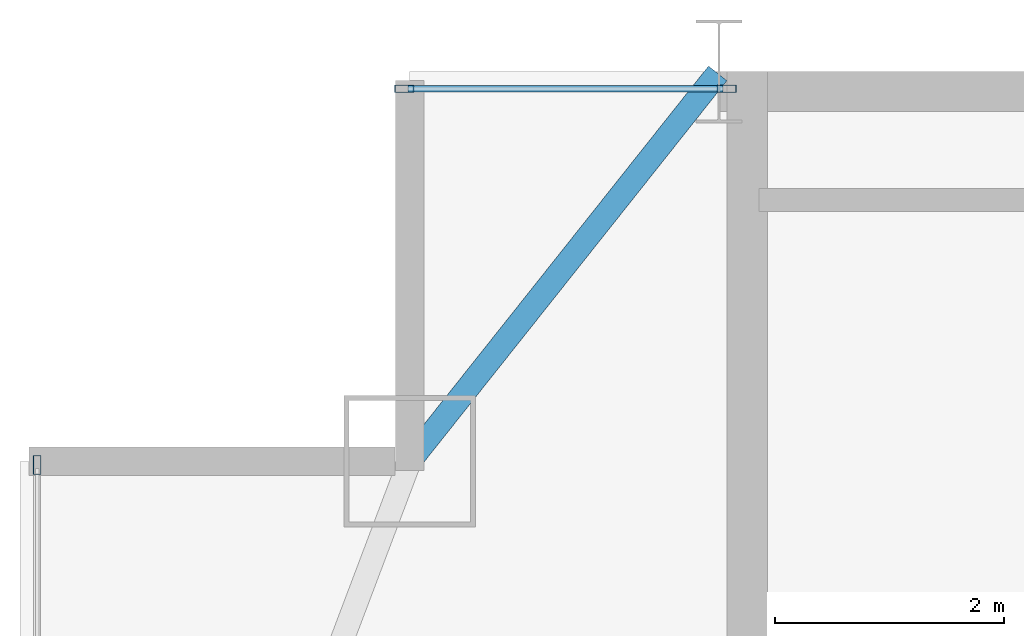
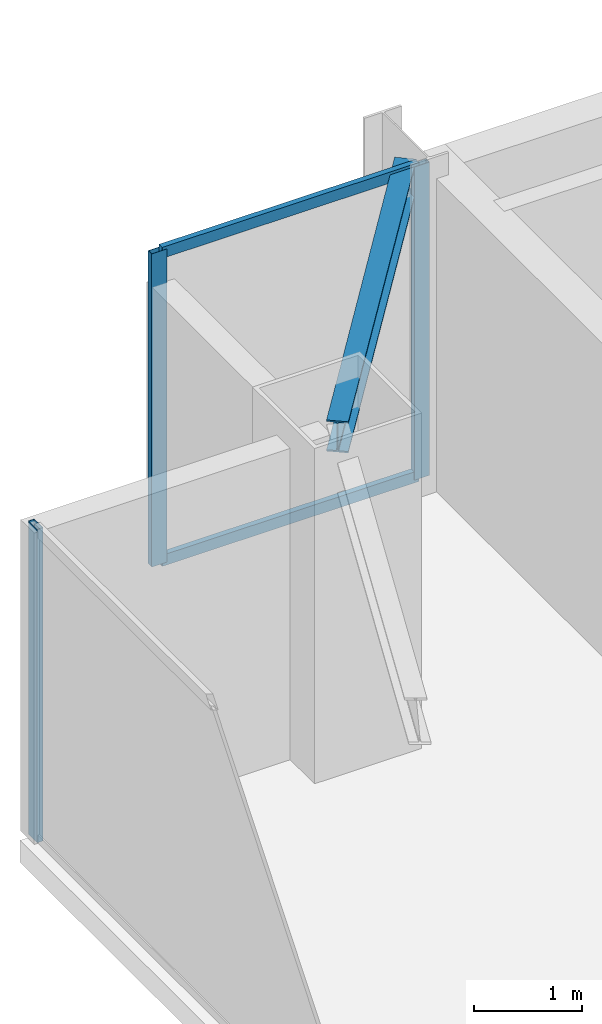
# One storey, part 21 of 30: 5 members, 1 beam, 2 elements without a shape of their own.
"""IFC4 building model written with IfcOpenShell, lengths in metres."""

from ifc_helpers import new_model, si_unit, direction, frame, origin, origin_2d, place, context, subcontext, project, spatial, hollow_rectangle, i_section, extrude, source, transform, mapped, material, layer, layer_set, material_profile, profile_set, type_object, type_shapes, element, aggregate, save


model = new_model("IFC4")

# Units and contexts
model_context = context("Model", 3, precision=1e-05, world=origin(), true_north=direction((0.0, 1.0)))
body_context = subcontext(model_context, "Body", "Model", "MODEL_VIEW")
ifc_project = project(units=[si_unit("LENGTHUNIT", "METRE"), si_unit("AREAUNIT", "SQUARE_METRE"), si_unit("VOLUMEUNIT", "CUBIC_METRE"), si_unit("PLANEANGLEUNIT", "RADIAN"), si_unit("MASSUNIT", "GRAM", prefix="KILO")], contexts=[model_context])

# Site, building, storey
site_placement = place(None, origin())
site = spatial("IfcSite", under=ifc_project, at=site_placement, CompositionType="ELEMENT")
building_placement = place(site_placement, origin())
building = spatial("IfcBuilding", under=site, at=building_placement, Name="Varnel Quay Broadcast Tower", CompositionType="ELEMENT")
storey_placement = place(building_placement, frame((0.0, 0.0, 211.199951171875)))
storey = spatial("IfcBuildingStorey", under=building, at=storey_placement, Name="L52", CompositionType="ELEMENT", Elevation=211.199951171875)

# Beam
ifc_material_1 = material(Name="Structural Steel CSA G40.21 350W", Category="steel")
ifc_material_profile_1 = material_profile(ifc_material_1, i_section(OverallWidth=0.205078125, OverallDepth=0.35400390625, WebThickness=0.009521484375, FlangeThickness=0.016845703125, FilletRadius=0.012939453125, at=origin_2d()), Name="W360X79")
ifc_profile_set_1 = profile_set([ifc_material_profile_1], Name="Structural Steel CSA G40.21 350W")
beam_type = type_object("IfcBeamType", Name="Beam_W360X79", PredefinedType="SPANDREL", material=ifc_profile_set_1)
shared_shape_1 = source(origin(), body_context, "Body", "SweptSolid", [
    extrude(i_section(OverallWidth=0.205078125, OverallDepth=0.35400390625, WebThickness=0.009521484375, FlangeThickness=0.016845703125, FilletRadius=0.012939453125, at=origin_2d()), origin(), (0.0, 0.0, 1.0), 4.301513671875),
])
type_shapes(beam_type, [shared_shape_1])
beam_placement = place(storey_placement, frame((12.912353515625, 43.415771484375, 3.373046875), z_axis=(0.621936399401, 0.783067758946, 0.0), x_axis=(-0.783067758946, 0.621936399401, 0.0)))
element("IfcBeam", 1, at=beam_placement, inside=storey, type_object=beam_type, Name="L52 NW Tie Spandrel", PredefinedType="SPANDREL", context=body_context, shape_type="MappedRepresentation", body=[
    mapped(shared_shape_1, transform((0.0, 0.0, 0.0), x_axis=(1.0, 0.0, 0.0), y_axis=(0.0, 1.0, 0.0), z_axis=(0.0, 0.0, 1.0), scale=1.0)),
])

# Curtain wall, member
ifc_material_2 = material(Name="Anodised Bronze Aluminium 6063-T6", Category="aluminium")
ifc_layer = layer(ifc_material_2, 0.18994140625, Name="Anodised Bronze Aluminium 6063-T6")
ifc_layer_set = layer_set([ifc_layer], Name="Anodised Bronze Aluminium 6063-T6")
curtain_wall_type = type_object("IfcCurtainWallType", Name="CW_UpperTower", PredefinedType="NOTDEFINED", material=ifc_layer_set)
curtain_wall_1_placement = place(storey_placement, origin())
curtain_wall_1 = element("IfcCurtainWall", 2, at=curtain_wall_1_placement, inside=storey, type_object=curtain_wall_type, Name="L52 West Unitised Curtain Wall", PredefinedType="NOTDEFINED")
ifc_material_profile_2 = material_profile(ifc_material_2, hollow_rectangle(XDim=0.06494140625, YDim=0.1650390625, WallThickness=0.00341796875, at=origin_2d()), Name="ALU65X165X3.5")
ifc_profile_set_2 = profile_set([ifc_material_profile_2], Name="Anodised Bronze Aluminium 6063-T6")
member_type_1 = type_object("IfcMemberType", Name="Mull_CWS-03", PredefinedType="MULLION", material=ifc_profile_set_2)
shared_shape_2 = source(origin(), body_context, "Body", "SweptSolid", [
    extrude(hollow_rectangle(XDim=0.06494140625, YDim=0.1650390625, WallThickness=0.00341796875, at=origin_2d()), origin(), (0.0, 0.0, 1.0), 3.550048828125),
])
type_shapes(member_type_1, [shared_shape_2])
member_1_placement = place(storey_placement, frame((9.64990234375, 43.367431640625, 0.0), z_axis=(0.0, 0.0, 1.0), x_axis=(-1.0, 0.0, 0.0)))
member_1 = element("IfcMember", 3, at=member_1_placement, type_object=member_type_1, Name="CWS-03 mullion 3", PredefinedType="MULLION", context=body_context, shape_type="MappedRepresentation", body=[
    mapped(shared_shape_2, transform((0.0, 0.0, 0.0), x_axis=(1.0, 0.0, 0.0), y_axis=(0.0, 1.0, 0.0), z_axis=(0.0, 0.0, 1.0), scale=1.0)),
])
aggregate(curtain_wall_1, [member_1])

# Curtain wall, members
curtain_wall_2_placement = place(storey_placement, origin())
curtain_wall_2 = element("IfcCurtainWall", 4, at=curtain_wall_2_placement, inside=storey, type_object=curtain_wall_type, Name="L52 NW Wing Curtain Wall", PredefinedType="NOTDEFINED")
member_2_placement = place(storey_placement, frame((12.8525390625, 46.64990234375, 0.0), z_axis=(0.0, 0.0, 1.0), x_axis=(0.0, 1.0, 0.0)))
member_2 = element("IfcMember", 5, at=member_2_placement, type_object=member_type_1, Name="CWS-03 mullion 1", PredefinedType="MULLION", context=body_context, shape_type="MappedRepresentation", body=[
    mapped(shared_shape_2, transform((0.0, 0.0, 0.0), x_axis=(1.0, 0.0, 0.0), y_axis=(0.0, 1.0, 0.0), z_axis=(0.0, 0.0, 1.0), scale=1.0)),
])
member_3_placement = place(storey_placement, frame((15.66748046875, 46.64990234375, 0.0), z_axis=(0.0, 0.0, 1.0), x_axis=(0.0, 1.0, 0.0)))
member_3 = element("IfcMember", 6, at=member_3_placement, type_object=member_type_1, Name="CWS-03 mullion 2", PredefinedType="MULLION", context=body_context, shape_type="MappedRepresentation", body=[
    mapped(shared_shape_2, transform((0.0, 0.0, 0.0), x_axis=(1.0, 0.0, 0.0), y_axis=(0.0, 1.0, 0.0), z_axis=(0.0, 0.0, 1.0), scale=1.0)),
])
ifc_material_profile_3 = material_profile(ifc_material_2, hollow_rectangle(XDim=0.06005859375, YDim=0.125, WallThickness=0.0029296875, at=origin_2d()), Name="ALU60X125X3")
ifc_profile_set_3 = profile_set([ifc_material_profile_3], Name="Anodised Bronze Aluminium 6063-T6")
member_type_2 = type_object("IfcMemberType", Name="Tran_CWS-03", PredefinedType="USERDEFINED", material=ifc_profile_set_3)
shared_shape_3 = source(origin(), body_context, "Body", "SweptSolid", [
    extrude(hollow_rectangle(XDim=0.06005859375, YDim=0.125, WallThickness=0.0029296875, at=origin_2d()), origin(), (0.0, 0.0, 1.0), 2.75),
])
type_shapes(member_type_2, [shared_shape_3])
member_4_placement = place(storey_placement, frame((12.885009765625, 46.64990234375, 0.030029296875), z_axis=(1.0, 0.0, 0.0), x_axis=(0.0, 1.0, 0.0)))
member_4 = element("IfcMember", 7, at=member_4_placement, type_object=member_type_2, Name="CWS-03 transom 1.1", ObjectType="TRANSOM", PredefinedType="USERDEFINED", context=body_context, shape_type="MappedRepresentation", body=[
    mapped(shared_shape_3, transform((0.0, 0.0, 0.0), x_axis=(1.0, 0.0, 0.0), y_axis=(0.0, 1.0, 0.0), z_axis=(0.0, 0.0, 1.0), scale=1.0)),
])
member_5_placement = place(storey_placement, frame((12.885009765625, 46.64990234375, 3.52001953125), z_axis=(1.0, 0.0, 0.0), x_axis=(0.0, 1.0, 0.0)))
member_5 = element("IfcMember", 8, at=member_5_placement, type_object=member_type_2, Name="CWS-03 transom 1.2", ObjectType="TRANSOM", PredefinedType="USERDEFINED", context=body_context, shape_type="MappedRepresentation", body=[
    mapped(shared_shape_3, transform((0.0, 0.0, 0.0), x_axis=(1.0, 0.0, 0.0), y_axis=(0.0, 1.0, 0.0), z_axis=(0.0, 0.0, 1.0), scale=1.0)),
])
aggregate(curtain_wall_2, [member_2, member_3, member_4, member_5])

save(model, "model.ifc")
